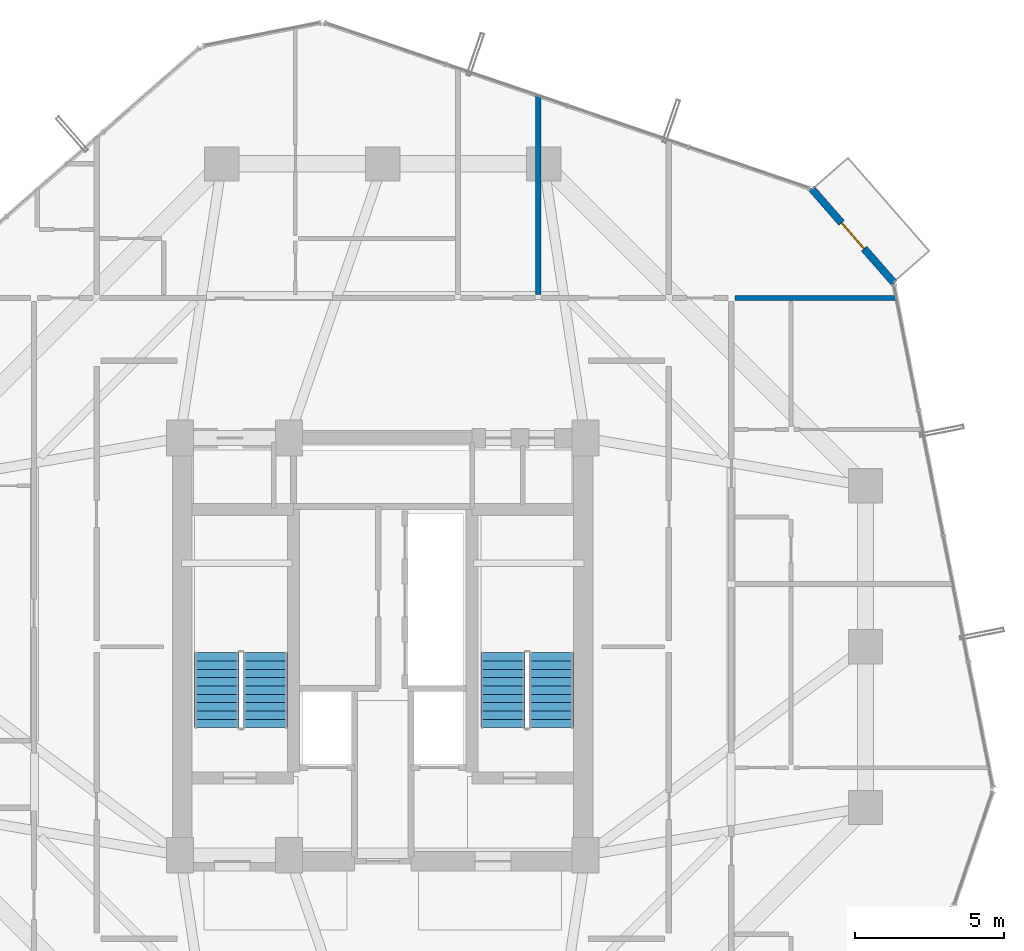
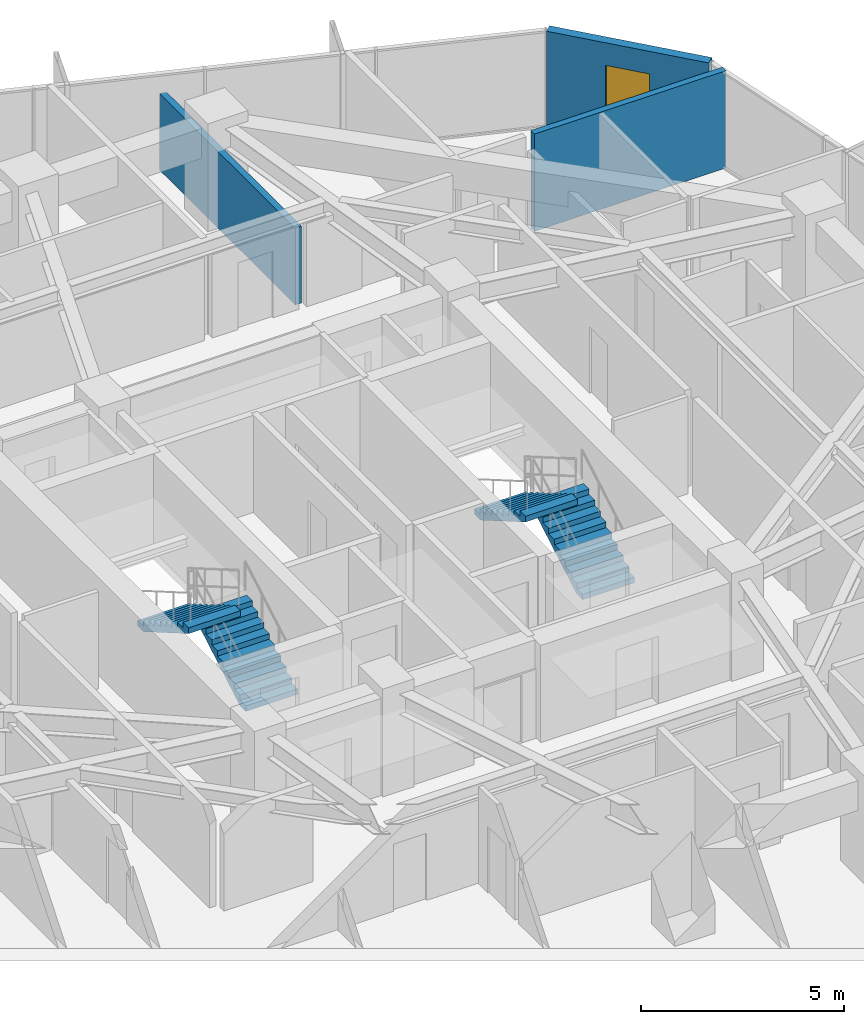
# One storey, part 34 of 36: 4 stair flights, 3 walls, 1 door, 1 opening, 2 elements without a shape of their own.
"""IFC4 building model written with IfcOpenShell, lengths in metres."""

import ifcopenshell
import ifcopenshell.guid

model = None  # the IFC model being written
_history = None  # IfcOwnerHistory: only IFC2X3 demands one
_inside = {}  # id of a spatial element -> (the spatial element, [elements in it])
_under = {}  # id of a project, library or spatial element -> (it, [spatial elements below it])
_declared = {}  # id of a project -> (the project, [libraries it declares])
_typed = {}  # id of a type object -> (the type object, [elements of that type])
_made_of = {}  # id of a material, layer set ... -> (it, [elements and type objects made of it])


def new_model(schema):
    """Start an empty IFC model of exactly this schema.

    Asked for "IFC4X3", IfcOpenShell would pick the latest addendum, in which some entities
    have other attributes; the version numbers below select the first issue.
    IFC2X3 requires an IfcOwnerHistory on every rooted entity: one is made here for all.
    """
    global model, _history
    if schema == "IFC4X3":
        model = ifcopenshell.file(schema_version=(4, 3, 0, 0))
    else:
        model = ifcopenshell.file(schema=schema)
    _inside.clear()
    _under.clear()
    _declared.clear()
    _typed.clear()
    _made_of.clear()
    _history = None
    if model.schema == "IFC2X3":
        org = make("IfcOrganization", Name="unknown")
        user = make(
            "IfcPersonAndOrganization",
            ThePerson=make("IfcPerson", FamilyName="unknown"),
            TheOrganization=org,
        )
        app = make(
            "IfcApplication",
            ApplicationDeveloper=org,
            Version="unknown",
            ApplicationFullName="unknown",
            ApplicationIdentifier="unknown",
        )
        _history = make(
            "IfcOwnerHistory",
            OwningUser=user,
            OwningApplication=app,
            ChangeAction="ADDED",
            CreationDate=0,
        )
    return model


def make(cls, **values):
    """One entity of the class cls with the attributes given. An attribute that is None is left unset."""
    return model.create_entity(
        cls, **{name: value for name, value in values.items() if value is not None}
    )


def rooted(cls, **values):
    """An entity with a GlobalId (a new one), such as an element, a storey or a relation."""
    return make(cls, GlobalId=ifcopenshell.guid.new(), OwnerHistory=_history, **values)


def si_unit(unit_type, name, prefix=None):
    """IfcSIUnit, for example si_unit("LENGTHUNIT", "METRE", prefix="MILLI")."""
    return make("IfcSIUnit", UnitType=unit_type, Prefix=prefix, Name=name)


def assignment(units):
    """IfcUnitAssignment: the units of a project."""
    return None if units is None else make("IfcUnitAssignment", Units=units)


def point(xyz):
    """IfcCartesianPoint."""
    return None if xyz is None else make("IfcCartesianPoint", Coordinates=xyz)


def direction(xyz):
    """IfcDirection."""
    return None if xyz is None else make("IfcDirection", DirectionRatios=xyz)


def frame(location, z_axis=None, x_axis=None):
    """IfcAxis2Placement3D, a coordinate frame: its origin and axes. An axis left out is left unset."""
    return make(
        "IfcAxis2Placement3D",
        Location=point(location),
        Axis=direction(z_axis),
        RefDirection=direction(x_axis),
    )


def frame_2d(location, x_axis=None):
    """IfcAxis2Placement2D, a coordinate frame in the plane: its origin and x axis."""
    return make(
        "IfcAxis2Placement2D", Location=point(location), RefDirection=direction(x_axis)
    )


def origin():
    """The frame at (0, 0, 0) with its axes left unset."""
    return frame((0.0, 0.0, 0.0))


def place(relative_to, where):
    """IfcLocalPlacement: puts the frame where relative to a parent placement (None: the world)."""
    return make(
        "IfcLocalPlacement", PlacementRelTo=relative_to, RelativePlacement=where
    )


def context(
    kind, dimensions, precision=None, world=None, true_north=None, identifier=None
):
    """IfcGeometricRepresentationContext, for example the 3D "Model" context."""
    return make(
        "IfcGeometricRepresentationContext",
        ContextIdentifier=identifier,
        ContextType=kind,
        CoordinateSpaceDimension=dimensions,
        Precision=precision,
        WorldCoordinateSystem=world,
        TrueNorth=true_north,
    )


def subcontext(parent, identifier, kind, view, scale=None):
    """IfcGeometricRepresentationSubContext, for example "Body" below "Model"."""
    return make(
        "IfcGeometricRepresentationSubContext",
        ContextIdentifier=identifier,
        ContextType=kind,
        ParentContext=parent,
        TargetScale=scale,
        TargetView=view,
    )


def project(units=None, contexts=None):
    """IfcProject with its units and contexts."""
    return rooted(
        "IfcProject",
        Name="project",
        RepresentationContexts=contexts,
        UnitsInContext=assignment(units),
    )


def spatial(cls, under=None, at=None, **own):
    """A site, building, storey or space (cls), placed at a placement, below another one or the project."""
    s = rooted(cls, ObjectPlacement=at, **own)
    if under is not None:
        _under.setdefault(under.id(), (under, []))[1].append(s)
    return s


def polyline(points):
    """IfcPolyline through the points."""
    return make("IfcPolyline", Points=[point(p) for p in points])


def profile(cls, at=None, kind="AREA", **sizes):
    """A parametric profile (cls). Its sizes go by their IFC names, for example OverallWidth=200.0."""
    return make(cls, ProfileType=kind, Position=at, **sizes)


def rectangle(**sizes):
    """IfcRectangleProfileDef."""
    return profile("IfcRectangleProfileDef", **sizes)


def outline(outer, holes=None, kind="AREA"):
    """IfcArbitraryClosedProfileDef: a profile drawn as a closed curve; with holes, ...WithVoids."""
    if holes is None:
        return make("IfcArbitraryClosedProfileDef", ProfileType=kind, OuterCurve=outer)
    return make(
        "IfcArbitraryProfileDefWithVoids",
        ProfileType=kind,
        OuterCurve=outer,
        InnerCurves=holes,
    )


def extrude(swept, where, along, depth):
    """IfcExtrudedAreaSolid: the profile swept, set in the frame where, extruded along a direction by depth."""
    return make(
        "IfcExtrudedAreaSolid",
        SweptArea=swept,
        Position=where,
        ExtrudedDirection=direction(along),
        Depth=depth,
    )


def shape(context_of_items, identifier, shape_type, items):
    """IfcShapeRepresentation: the items that make up one representation, for example the "Body"."""
    return make(
        "IfcShapeRepresentation",
        ContextOfItems=context_of_items,
        RepresentationIdentifier=identifier,
        RepresentationType=shape_type,
        Items=items,
    )


def source(mapping_origin, context_of_items, identifier, shape_type, items):
    """IfcRepresentationMap: a shape defined once, which mapped items show again and again."""
    return make(
        "IfcRepresentationMap",
        MappingOrigin=mapping_origin,
        MappedRepresentation=shape(context_of_items, identifier, shape_type, items),
    )


def transform(
    local_origin,
    x_axis=None,
    y_axis=None,
    z_axis=None,
    scale=None,
    scale2=None,
    scale3=None,
    uniform=True,
):
    """IfcCartesianTransformationOperator3D, or its non-uniform kind. x_axis, y_axis, z_axis: its Axis1, 2, 3."""
    if uniform:
        return make(
            "IfcCartesianTransformationOperator3D",
            Axis1=direction(x_axis),
            Axis2=direction(y_axis),
            LocalOrigin=point(local_origin),
            Scale=scale,
            Axis3=direction(z_axis),
        )
    return make(
        "IfcCartesianTransformationOperator3DnonUniform",
        Axis1=direction(x_axis),
        Axis2=direction(y_axis),
        LocalOrigin=point(local_origin),
        Scale=scale,
        Axis3=direction(z_axis),
        Scale2=scale2,
        Scale3=scale3,
    )


def mapped(mapping_source, mapping_target):
    """IfcMappedItem: shows the shape of a source again, moved by a transform."""
    return make(
        "IfcMappedItem", MappingSource=mapping_source, MappingTarget=mapping_target
    )


def material(Name=None, Category=None):
    """IfcMaterial."""
    return make("IfcMaterial", Name=Name, Category=Category)


def layer(
    of_material, thickness, ventilated=None, Name=None, Category=None, Priority=None
):
    """IfcMaterialLayer: one layer of a wall or slab, of a material (None: an air gap)."""
    return make(
        "IfcMaterialLayer",
        Material=of_material,
        LayerThickness=thickness,
        IsVentilated=ventilated,
        Name=Name,
        Category=Category,
        Priority=Priority,
    )


def layer_set(layers, Name=None):
    """IfcMaterialLayerSet."""
    return make("IfcMaterialLayerSet", MaterialLayers=layers, LayerSetName=Name)


def made_of(thing, what):
    """Note that an element or type object is made of a material, layer set ...; save() writes the relation."""
    if what is not None:
        _made_of.setdefault(what.id(), (what, []))[1].append(thing)
    return thing


def type_object(cls, material=None, **own):
    """A type object (cls), such as IfcWallType, which elements share."""
    return made_of(rooted(cls, **own), material)


def element(
    cls,
    number,
    at=None,
    inside=None,
    cuts=None,
    type_object=None,
    material=None,
    context=None,
    identifier="Body",
    shape_type=None,
    held_by="IfcProductDefinitionShape",
    body=None,
    shapes=None,
    **own,
):
    """One element of the class cls, such as IfcWall. Its Tag is "e" and its number.

    at: its placement. inside: the storey or other place that contains it. cuts: it is an
    opening in that element (IfcRelVoidsElement). A single representation is given by context,
    identifier, shape_type and body (its items); several are given by shapes. held_by: the class
    of the entity that holds the representations. save() writes the other relations.
    """
    e = rooted(cls, Tag="e%d" % number, ObjectPlacement=at, **own)
    if body is not None:
        shapes = [shape(context, identifier, shape_type, body)]
    if shapes is not None:
        e.Representation = make(held_by, Representations=shapes)
    if inside is not None:
        _inside.setdefault(inside.id(), (inside, []))[1].append(e)
    if cuts is not None:
        rooted(
            "IfcRelVoidsElement", RelatingBuildingElement=cuts, RelatedOpeningElement=e
        )
    if type_object is not None:
        _typed.setdefault(type_object.id(), (type_object, []))[1].append(e)
    return made_of(e, material)


def fill(opening, filler):
    """IfcRelFillsElement: the door or window that sits in an opening."""
    return rooted(
        "IfcRelFillsElement",
        RelatingOpeningElement=opening,
        RelatedBuildingElement=filler,
    )


def aggregate(whole, parts):
    """IfcRelAggregates: a whole, such as a stair, and the parts it consists of."""
    return rooted("IfcRelAggregates", RelatingObject=whole, RelatedObjects=parts)


def save(model, path):
    """Write the relations noted so far, then the file.

    IfcRelAggregates (storeys below a building ...), IfcRelContainedInSpatialStructure (elements
    in a storey), IfcRelDefinesByType, IfcRelAssociatesMaterial and IfcRelDeclares: one each for
    every whole, place, type object, material and project.
    """
    for whole, parts in _under.values():
        aggregate(whole, parts)
    for where, things in _inside.values():
        rooted(
            "IfcRelContainedInSpatialStructure",
            RelatedElements=things,
            RelatingStructure=where,
        )
    for kind, things in _typed.values():
        rooted("IfcRelDefinesByType", RelatedObjects=things, RelatingType=kind)
    for what, things in _made_of.values():
        rooted("IfcRelAssociatesMaterial", RelatedObjects=things, RelatingMaterial=what)
    for by, libraries in _declared.values():
        rooted("IfcRelDeclares", RelatingContext=by, RelatedDefinitions=libraries)
    model.write(path)


model = new_model("IFC4")

# Units and contexts
model_context = context("Model", 3, precision=1e-05, world=origin(), true_north=direction((0.0, 1.0)))
body_context = subcontext(model_context, "Body", "Model", "MODEL_VIEW")
ifc_project = project(units=[si_unit("LENGTHUNIT", "METRE"), si_unit("AREAUNIT", "SQUARE_METRE"), si_unit("VOLUMEUNIT", "CUBIC_METRE"), si_unit("PLANEANGLEUNIT", "RADIAN"), si_unit("MASSUNIT", "GRAM", prefix="KILO")], contexts=[model_context])

# Site, building, storey
site_placement = place(None, origin())
site = spatial("IfcSite", under=ifc_project, at=site_placement, CompositionType="ELEMENT")
building_placement = place(site_placement, origin())
building = spatial("IfcBuilding", under=site, at=building_placement, Name="Veraguas Prism Commons", CompositionType="ELEMENT")
storey_placement = place(building_placement, frame((0.0, 0.0, 166.300048828125)))
storey = spatial("IfcBuildingStorey", under=building, at=storey_placement, Name="L47", CompositionType="ELEMENT", Elevation=166.300048828125)

# Walls
ifc_material_1 = material(Name="Autoclaved aerated masonry block 10 MPa", Category="masonry")
ifc_layer_1 = layer(ifc_material_1, 0.179931640625, Name="Corridor and Inter-Tenancy Partition 180", Category="masonry")
ifc_layer_set_1 = layer_set([ifc_layer_1], Name="Autoclaved aerated masonry block 10 MPa")
wall_type_1 = type_object("IfcWallType", Name="Corridor and Inter-Tenancy Partition 180", PredefinedType="PARTITIONING", material=ifc_layer_set_1)
wall_1_placement = place(storey_placement, frame((29.212890625, 35.820068359375, 0.0), z_axis=(0.0, 0.0, 1.0), x_axis=(0.0, 1.0, 0.0)))
element("IfcWall", 1, at=wall_1_placement, inside=storey, type_object=wall_type_1, Name="WL-L47-PT026", PredefinedType="PARTITIONING", context=body_context, shape_type="SweptSolid", body=[
    extrude(rectangle(XDim=6.701171875, YDim=0.179931640625, at=frame_2d((3.3505859375, 0.0))), origin(), (0.0, 0.0, 1.0), 2.307861328125),
])
wall_2_placement = place(storey_placement, frame((35.820068359375, 35.699951171875, 0.0), z_axis=(0.0, 0.0, 1.0), x_axis=(1.0, 0.0, 0.0)))
element("IfcWall", 2, at=wall_2_placement, inside=storey, type_object=wall_type_1, Name="WL-L47-PT040", PredefinedType="PARTITIONING", context=body_context, shape_type="SweptSolid", body=[
    extrude(rectangle(XDim=5.45458984375, YDim=0.179931640625, at=frame_2d((2.727294921875, 0.0))), origin(), (0.0, 0.0, 1.0), 2.929931640625),
])

# Wall, opening, door
ifc_material_2 = material(Name="Precast concrete C40/50", Category="concrete")
ifc_layer_2 = layer(ifc_material_2, 0.25, Name="External Loggia and Portal Wall 250", Category="concrete")
ifc_layer_set_2 = layer_set([ifc_layer_2], Name="Precast concrete C40/50")
wall_type_2 = type_object("IfcWallType", Name="External Loggia and Portal Wall 250", PredefinedType="SOLIDWALL", material=ifc_layer_set_2)
wall_3_placement = place(storey_placement, frame((41.16650390625, 36.19580078125, 0.0), z_axis=(0.0, 0.0, 1.0), x_axis=(-0.658137038382, 0.752898159587, 0.0)))
wall_3 = element("IfcWall", 3, at=wall_3_placement, inside=storey, type_object=wall_type_2, Name="Corner Loggia Wall L47-C1", PredefinedType="SOLIDWALL", context=body_context, shape_type="SweptSolid", body=[
    extrude(rectangle(XDim=4.23291015625, YDim=0.25, at=frame_2d((2.116455078125, 0.0))), origin(), (0.0, 0.0, 1.0), 2.929931640625),
])
opening_placement = place(wall_3_placement, frame((1.5419921875, 0.0, 0.0)))
opening = element("IfcOpeningElement", 4, at=opening_placement, cuts=wall_3, Name="Opening DR-10", PredefinedType="OPENING", context=body_context, shape_type="SweptSolid", body=[
    extrude(rectangle(XDim=1.14990234375, YDim=2.25, at=frame_2d((0.574951171875, 1.125))), frame((0.0, 0.135009765625, 0.0), z_axis=(0.0, -1.0, 0.0), x_axis=(1.0, 0.0, 0.0)), (0.0, 0.0, 1.0), 0.27001953125),
])
ifc_material_3 = material(Name="Anodised aluminium EN AW-6063 T6", Category="aluminium")
door_type = type_object("IfcDoorType", Name="Glazed Loggia and Terrace Door 1150x2250", OperationType="NOTDEFINED", PredefinedType="DOOR", material=ifc_material_3)
shared_shape = source(origin(), body_context, "Body", "SweptSolid", [
    extrude(rectangle(XDim=1.14990234375, YDim=2.25, at=frame_2d((0.574951171875, 1.125))), frame((0.0, 0.02490234375, 0.0), z_axis=(0.0, -1.0, 0.0), x_axis=(1.0, 0.0, 0.0)), (0.0, 0.0, 1.0), 0.050048828125),
])
door_placement = place(opening_placement, frame((1.14990234375, 0.0, 0.0), z_axis=(0.0, 0.0, 1.0), x_axis=(-1.0, 0.0, 0.0)))
door = element("IfcDoor", 5, at=door_placement, inside=storey, type_object=door_type, Name="Recessed Loggia Door L47-C1", OperationType="SINGLE_SWING_LEFT", OverallHeight=2.25, OverallWidth=1.14990234375, PredefinedType="DOOR", context=body_context, shape_type="MappedRepresentation", body=[
    mapped(shared_shape, transform((0.0, 0.0, 0.0), scale=1.0)),
])
fill(opening, door)

# Stair, stair flights
ifc_material_4 = material(Name="Precast concrete C45/55", Category="concrete")
stair_type = type_object("IfcStairType", Name="Dogleg Core Stair 1480W 20R 05", PredefinedType="HALF_TURN_STAIR", material=ifc_material_4)
stair_1_placement = place(storey_placement, origin())
stair_1 = element("IfcStair", 6, at=stair_1_placement, inside=storey, type_object=stair_type, Name="Protected Exit Stair ST-01 L47", PredefinedType="HALF_TURN_STAIR")
stair_flight_type = type_object("IfcStairFlightType", Name="Precast Stair Flight 1480W 10R 05", PredefinedType="STRAIGHT", material=ifc_material_4)
stair_flight_1_placement = place(storey_placement, frame((20.06005859375, 21.280029296875, 0.0), z_axis=(0.0, 0.0, 1.0), x_axis=(0.0, 1.0, 0.0)))
stair_flight_1 = element("IfcStairFlight", 7, at=stair_flight_1_placement, type_object=stair_flight_type, Name="ST-05 Flight 1", NumberOfRisers=10, NumberOfTreads=9, PredefinedType="STRAIGHT", RiserHeight=0.1625, TreadLength=0.28, context=body_context, shape_type="SweptSolid", body=[
    extrude(outline(polyline([(0.0, 0.0), (0.0, 0.16259765625), (0.280029296875, 0.16259765625), (0.280029296875, 0.324951171875), (0.56005859375, 0.324951171875), (0.56005859375, 0.487548828125), (0.840087890625, 0.487548828125), (0.840087890625, 0.64990234375), (1.1201171875, 0.64990234375), (1.1201171875, 0.8125), (1.39990234375, 0.8125), (1.39990234375, 0.97509765625), (1.679931640625, 0.97509765625), (1.679931640625, 1.137451171875), (1.9599609375, 1.137451171875), (1.9599609375, 1.300048828125), (2.239990234375, 1.300048828125), (2.239990234375, 1.46240234375), (2.52001953125, 1.46240234375), (2.52001953125, 1.625), (2.52001953125, 1.2890625), (0.298583984375, 0.0), (0.0, 0.0)])), frame((0.0, 0.739990234375, 0.0), z_axis=(0.0, -1.0, 0.0), x_axis=(1.0, 0.0, 0.0)), (0.0, 0.0, 1.0), 1.47998046875),
])
stair_flight_2_placement = place(storey_placement, frame((18.429931640625, 23.800048828125, 1.625), z_axis=(0.0, 0.0, 1.0), x_axis=(0.0, -1.0, 0.0)))
stair_flight_2 = element("IfcStairFlight", 8, at=stair_flight_2_placement, type_object=stair_flight_type, Name="ST-05 Flight 2", NumberOfRisers=10, NumberOfTreads=9, PredefinedType="STRAIGHT", RiserHeight=0.1625, TreadLength=0.28, context=body_context, shape_type="SweptSolid", body=[
    extrude(outline(polyline([(0.0, 0.0), (0.0, 0.16259765625), (0.280029296875, 0.16259765625), (0.280029296875, 0.324951171875), (0.56005859375, 0.324951171875), (0.56005859375, 0.487548828125), (0.840087890625, 0.487548828125), (0.840087890625, 0.64990234375), (1.1201171875, 0.64990234375), (1.1201171875, 0.8125), (1.39990234375, 0.8125), (1.39990234375, 0.97509765625), (1.679931640625, 0.97509765625), (1.679931640625, 1.137451171875), (1.9599609375, 1.137451171875), (1.9599609375, 1.300048828125), (2.239990234375, 1.300048828125), (2.239990234375, 1.46240234375), (2.52001953125, 1.46240234375), (2.52001953125, 1.625), (2.52001953125, 1.2890625), (0.298583984375, 0.0), (0.0, 0.0)])), frame((0.0, 0.739990234375, 0.0), z_axis=(0.0, -1.0, 0.0), x_axis=(1.0, 0.0, 0.0)), (0.0, 0.0, 1.0), 1.47998046875),
])
aggregate(stair_1, [stair_flight_1, stair_flight_2])

stair_2_placement = place(storey_placement, origin())
stair_2 = element("IfcStair", 9, at=stair_2_placement, inside=storey, type_object=stair_type, Name="Protected Exit Stair ST-02 L47", PredefinedType="HALF_TURN_STAIR")
stair_flight_3_placement = place(storey_placement, frame((29.659912109375, 21.280029296875, 0.0), z_axis=(0.0, 0.0, 1.0), x_axis=(0.0, 1.0, 0.0)))
stair_flight_3 = element("IfcStairFlight", 10, at=stair_flight_3_placement, type_object=stair_flight_type, Name="ST-05 Flight 1", NumberOfRisers=10, NumberOfTreads=9, PredefinedType="STRAIGHT", RiserHeight=0.1625, TreadLength=0.28, context=body_context, shape_type="SweptSolid", body=[
    extrude(outline(polyline([(0.0, 0.0), (0.0, 0.16259765625), (0.280029296875, 0.16259765625), (0.280029296875, 0.324951171875), (0.56005859375, 0.324951171875), (0.56005859375, 0.487548828125), (0.840087890625, 0.487548828125), (0.840087890625, 0.64990234375), (1.1201171875, 0.64990234375), (1.1201171875, 0.8125), (1.39990234375, 0.8125), (1.39990234375, 0.97509765625), (1.679931640625, 0.97509765625), (1.679931640625, 1.137451171875), (1.9599609375, 1.137451171875), (1.9599609375, 1.300048828125), (2.239990234375, 1.300048828125), (2.239990234375, 1.46240234375), (2.52001953125, 1.46240234375), (2.52001953125, 1.625), (2.52001953125, 1.2890625), (0.298583984375, 0.0), (0.0, 0.0)])), frame((0.0, 0.739990234375, 0.0), z_axis=(0.0, -1.0, 0.0), x_axis=(1.0, 0.0, 0.0)), (0.0, 0.0, 1.0), 1.47998046875),
])
stair_flight_4_placement = place(storey_placement, frame((28.030029296875, 23.800048828125, 1.625), z_axis=(0.0, 0.0, 1.0), x_axis=(0.0, -1.0, 0.0)))
stair_flight_4 = element("IfcStairFlight", 11, at=stair_flight_4_placement, type_object=stair_flight_type, Name="ST-05 Flight 2", NumberOfRisers=10, NumberOfTreads=9, PredefinedType="STRAIGHT", RiserHeight=0.1625, TreadLength=0.28, context=body_context, shape_type="SweptSolid", body=[
    extrude(outline(polyline([(0.0, 0.0), (0.0, 0.16259765625), (0.280029296875, 0.16259765625), (0.280029296875, 0.324951171875), (0.56005859375, 0.324951171875), (0.56005859375, 0.487548828125), (0.840087890625, 0.487548828125), (0.840087890625, 0.64990234375), (1.1201171875, 0.64990234375), (1.1201171875, 0.8125), (1.39990234375, 0.8125), (1.39990234375, 0.97509765625), (1.679931640625, 0.97509765625), (1.679931640625, 1.137451171875), (1.9599609375, 1.137451171875), (1.9599609375, 1.300048828125), (2.239990234375, 1.300048828125), (2.239990234375, 1.46240234375), (2.52001953125, 1.46240234375), (2.52001953125, 1.625), (2.52001953125, 1.2890625), (0.298583984375, 0.0), (0.0, 0.0)])), frame((0.0, 0.739990234375, 0.0), z_axis=(0.0, -1.0, 0.0), x_axis=(1.0, 0.0, 0.0)), (0.0, 0.0, 1.0), 1.47998046875),
])
aggregate(stair_2, [stair_flight_3, stair_flight_4])

save(model, "model.ifc")
